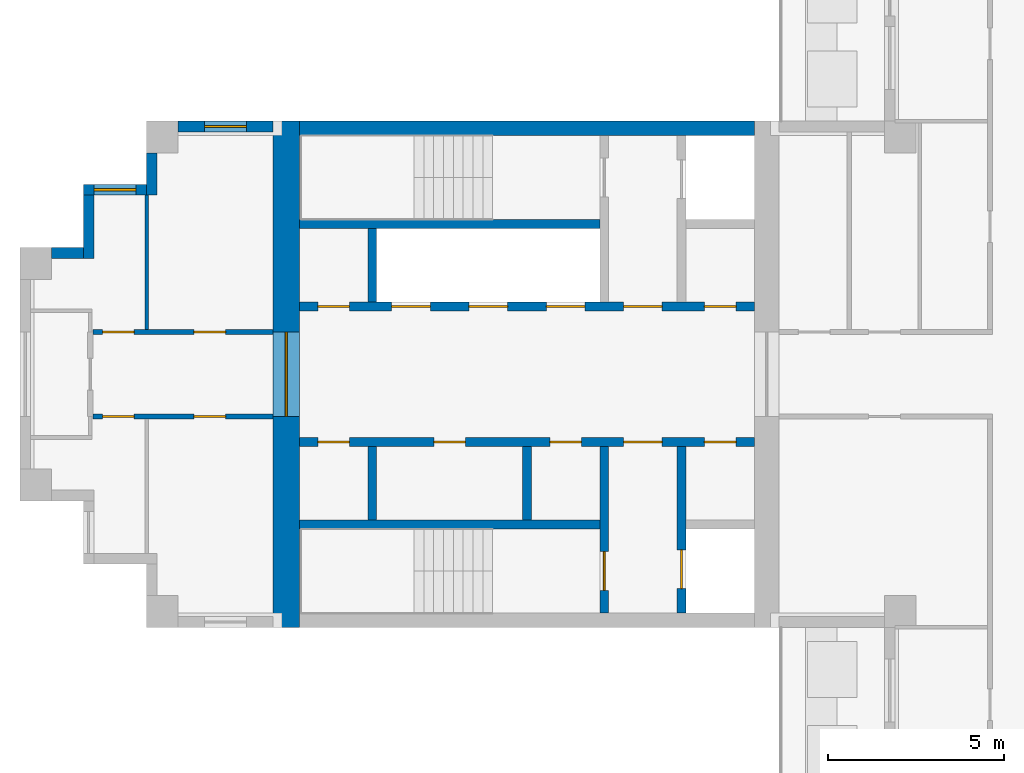
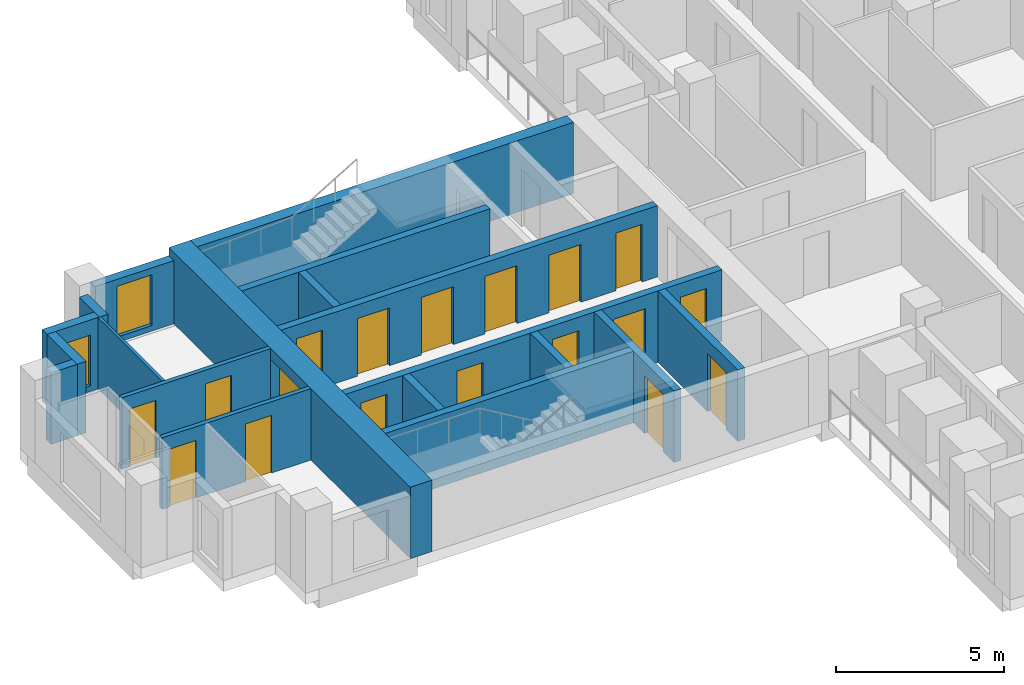
# One storey, part 3 of 10: 19 walls, 18 doors, 2 windows, 20 openings.
"""IFC4 building model written with IfcOpenShell, lengths in metres."""

from ifc_helpers import new_model, si_unit, direction, frame, frame_2d, origin, place, context, subcontext, project, spatial, rectangle, extrude, material, layer, layer_set, type_object, element, fill, save


model = new_model("IFC4")

# Units and contexts
model_context = context("Model", 3, precision=1e-05, world=origin(), true_north=direction((0.0, 1.0)))
body_context = subcontext(model_context, "Body", "Model", "MODEL_VIEW")
ifc_project = project(units=[si_unit("LENGTHUNIT", "METRE"), si_unit("AREAUNIT", "SQUARE_METRE"), si_unit("VOLUMEUNIT", "CUBIC_METRE"), si_unit("PLANEANGLEUNIT", "RADIAN"), si_unit("MASSUNIT", "GRAM", prefix="KILO")], contexts=[model_context])

# Site, building, storey
site_placement = place(None, origin())
site = spatial("IfcSite", under=ifc_project, at=site_placement, CompositionType="ELEMENT")
building_placement = place(site_placement, origin())
building = spatial("IfcBuilding", under=site, at=building_placement, Name="Fustian Cross Tower", CompositionType="ELEMENT")
storey_placement = place(building_placement, frame((0.0, 0.0, 207.89990234375)))
storey = spatial("IfcBuildingStorey", under=building, at=storey_placement, Name="L65", CompositionType="ELEMENT", Elevation=207.89990234375)

# Wall, openings, doors
ifc_material_1 = material(Name="Plasterboard on steel stud", Category="steel")
ifc_layer_1 = layer(ifc_material_1, 0.14990234375)
ifc_layer_set_1 = layer_set([ifc_layer_1], Name="Plasterboard on steel stud")
wall_type_1 = type_object("IfcWallType", Name="COMPARTMENT WALL 150 EI 60", PredefinedType="PARTITIONING", material=ifc_layer_set_1)
wall_1_placement = place(storey_placement, frame((-26.72509765625, -1.199951171875, 0.0), z_axis=(0.0, 0.0, 1.0), x_axis=(1.0, 0.0, 0.0)))
wall_1 = element("IfcWall", 1, at=wall_1_placement, inside=storey, type_object=wall_type_1, Name="Partition 5", PredefinedType="PARTITIONING", context=body_context, shape_type="SweptSolid", body=[
    extrude(rectangle(XDim=5.125, YDim=0.14990234375, at=frame_2d((2.5625, 0.0))), origin(), (0.0, 0.0, 1.0), 2.60009765625),
])
opening_1_placement = place(wall_1_placement, frame((2.875, 0.0, 0.0)))
opening_1 = element("IfcOpeningElement", 2, at=opening_1_placement, cuts=wall_1, Name="Opening D30026", PredefinedType="OPENING", context=body_context, shape_type="SweptSolid", body=[
    extrude(rectangle(XDim=0.89990234375, YDim=2.10009765625, at=frame_2d((0.449951171875, 1.050048828125))), frame((0.0, 0.0849609375, 0.0), z_axis=(0.0, -1.0, 0.0), x_axis=(1.0, 0.0, 0.0)), (0.0, 0.0, 1.0), 0.169921875),
])
opening_2_placement = place(wall_1_placement, frame((0.27490234375, 0.0, 0.0)))
opening_2 = element("IfcOpeningElement", 3, at=opening_2_placement, cuts=wall_1, Name="Opening D30027", PredefinedType="OPENING", context=body_context, shape_type="SweptSolid", body=[
    extrude(rectangle(XDim=0.89990234375, YDim=2.10009765625, at=frame_2d((0.449951171875, 1.050048828125))), frame((0.0, 0.0849609375, 0.0), z_axis=(0.0, -1.0, 0.0), x_axis=(1.0, 0.0, 0.0)), (0.0, 0.0, 1.0), 0.169921875),
])
ifc_material_2 = material(Name="Timber fire door set", Category="wood")
door_type_1 = type_object("IfcDoorType", Name="FIRE SWING DOOR 900 FD30S", OperationType="SINGLE_SWING_LEFT", PredefinedType="DOOR", material=ifc_material_2)
door_1_placement = place(opening_1_placement, frame((0.89990234375, 0.0, 0.0), z_axis=(0.0, 0.0, 1.0), x_axis=(-1.0, 0.0, 0.0)))
door_1 = element("IfcDoor", 4, at=door_1_placement, inside=storey, type_object=door_type_1, Name="Door D30026", OperationType="SINGLE_SWING_RIGHT", OverallHeight=2.10009765625, OverallWidth=0.89990234375, PredefinedType="DOOR", context=body_context, shape_type="SweptSolid", body=[
    extrude(rectangle(XDim=0.89990234375, YDim=2.10009765625, at=frame_2d((0.449951171875, 1.050048828125))), frame((0.0, 0.02490234375, 0.0), z_axis=(0.0, -1.0, 0.0), x_axis=(1.0, 0.0, 0.0)), (0.0, 0.0, 1.0), 0.050048828125),
])
fill(opening_1, door_1)
door_2_placement = place(opening_2_placement, frame((0.89990234375, 0.0, 0.0), z_axis=(0.0, 0.0, 1.0), x_axis=(-1.0, 0.0, 0.0)))
door_2 = element("IfcDoor", 5, at=door_2_placement, inside=storey, type_object=door_type_1, Name="Door D30027", OperationType="SINGLE_SWING_RIGHT", OverallHeight=2.10009765625, OverallWidth=0.89990234375, PredefinedType="DOOR", context=body_context, shape_type="SweptSolid", body=[
    extrude(rectangle(XDim=0.89990234375, YDim=2.10009765625, at=frame_2d((0.449951171875, 1.050048828125))), frame((0.0, 0.02490234375, 0.0), z_axis=(0.0, -1.0, 0.0), x_axis=(1.0, 0.0, 0.0)), (0.0, 0.0, 1.0), 0.050048828125),
])
fill(opening_2, door_2)

wall_2_placement = place(storey_placement, frame((-26.72509765625, 1.199951171875, 0.0), z_axis=(0.0, 0.0, 1.0), x_axis=(1.0, 0.0, 0.0)))
wall_2 = element("IfcWall", 6, at=wall_2_placement, inside=storey, type_object=wall_type_1, Name="Partition 7", PredefinedType="PARTITIONING", context=body_context, shape_type="SweptSolid", body=[
    extrude(rectangle(XDim=5.125, YDim=0.14990234375, at=frame_2d((2.5625, 0.0))), origin(), (0.0, 0.0, 1.0), 2.60009765625),
])
opening_3_placement = place(wall_2_placement, frame((2.875, 0.0, 0.0)))
opening_3 = element("IfcOpeningElement", 7, at=opening_3_placement, cuts=wall_2, Name="Opening D30028", PredefinedType="OPENING", context=body_context, shape_type="SweptSolid", body=[
    extrude(rectangle(XDim=0.89990234375, YDim=2.10009765625, at=frame_2d((0.449951171875, 1.050048828125))), frame((0.0, 0.0849609375, 0.0), z_axis=(0.0, -1.0, 0.0), x_axis=(1.0, 0.0, 0.0)), (0.0, 0.0, 1.0), 0.169921875),
])
opening_4_placement = place(wall_2_placement, frame((0.27490234375, 0.0, 0.0)))
opening_4 = element("IfcOpeningElement", 8, at=opening_4_placement, cuts=wall_2, Name="Opening D30029", PredefinedType="OPENING", context=body_context, shape_type="SweptSolid", body=[
    extrude(rectangle(XDim=0.89990234375, YDim=2.10009765625, at=frame_2d((0.449951171875, 1.050048828125))), frame((0.0, 0.0849609375, 0.0), z_axis=(0.0, -1.0, 0.0), x_axis=(1.0, 0.0, 0.0)), (0.0, 0.0, 1.0), 0.169921875),
])
door_3_placement = place(opening_3_placement, origin())
door_3 = element("IfcDoor", 9, at=door_3_placement, inside=storey, type_object=door_type_1, Name="Door D30028", OperationType="SINGLE_SWING_LEFT", OverallHeight=2.10009765625, OverallWidth=0.89990234375, PredefinedType="DOOR", context=body_context, shape_type="SweptSolid", body=[
    extrude(rectangle(XDim=0.89990234375, YDim=2.10009765625, at=frame_2d((0.449951171875, 1.050048828125))), frame((0.0, 0.02490234375, 0.0), z_axis=(0.0, -1.0, 0.0), x_axis=(1.0, 0.0, 0.0)), (0.0, 0.0, 1.0), 0.050048828125),
])
fill(opening_3, door_3)
door_4_placement = place(opening_4_placement, origin())
door_4 = element("IfcDoor", 10, at=door_4_placement, inside=storey, type_object=door_type_1, Name="Door D30029", OperationType="SINGLE_SWING_LEFT", OverallHeight=2.10009765625, OverallWidth=0.89990234375, PredefinedType="DOOR", context=body_context, shape_type="SweptSolid", body=[
    extrude(rectangle(XDim=0.89990234375, YDim=2.10009765625, at=frame_2d((0.449951171875, 1.050048828125))), frame((0.0, 0.02490234375, 0.0), z_axis=(0.0, -1.0, 0.0), x_axis=(1.0, 0.0, 0.0)), (0.0, 0.0, 1.0), 0.050048828125),
])
fill(opening_4, door_4)

# Wall, opening, door
ifc_material_3 = material(Name="Concrete C50/60", Category="concrete")
ifc_layer_2 = layer(ifc_material_3, 0.75)
ifc_layer_set_2 = layer_set([ifc_layer_2], Name="Concrete C50/60")
wall_type_2 = type_object("IfcWallType", Name="CORE END WALL 750 C50/60", PredefinedType="SHEAR", material=ifc_layer_set_2)
wall_3_placement = place(storey_placement, frame((-21.22509765625, -7.199951171875, 0.0), z_axis=(0.0, 0.0, 1.0), x_axis=(0.0, 1.0, 0.0)))
wall_3 = element("IfcWall", 11, at=wall_3_placement, inside=storey, type_object=wall_type_2, Name="Core end wall", PredefinedType="SHEAR", context=body_context, shape_type="SweptSolid", body=[
    extrude(rectangle(XDim=14.39990234375, YDim=0.75, at=frame_2d((7.199951171875, 0.0))), origin(), (0.0, 0.0, 1.0), 2.60009765625),
])
opening_5_placement = place(wall_3_placement, frame((6.0, 0.0, 0.0)))
opening_5 = element("IfcOpeningElement", 12, at=opening_5_placement, cuts=wall_3, Name="Opening CD-28-30", PredefinedType="OPENING", context=body_context, shape_type="SweptSolid", body=[
    extrude(rectangle(XDim=2.39990234375, YDim=2.199951171875, at=frame_2d((1.199951171875, 1.10009765625))), frame((0.0, 0.385009765625, 0.0), z_axis=(0.0, -1.0, 0.0), x_axis=(1.0, 0.0, 0.0)), (0.0, 0.0, 1.0), 0.77001953125),
])
ifc_material_4 = material(Name="Steel", Category="steel")
door_type_2 = type_object("IfcDoorType", Name="FIRE DOOR FD30S DOUBLE 2400X2200", OperationType="DOUBLE_DOOR_DOUBLE_SWING", PredefinedType="DOOR", material=ifc_material_4)
door_5_placement = place(opening_5_placement, frame((2.39990234375, 0.0, 0.0), z_axis=(0.0, 0.0, 1.0), x_axis=(-1.0, 0.0, 0.0)))
door_5 = element("IfcDoor", 13, at=door_5_placement, inside=storey, type_object=door_type_2, Name="Core door CD-28-30", OperationType="DOUBLE_DOOR_DOUBLE_SWING", OverallHeight=2.199951171875, OverallWidth=2.39990234375, PredefinedType="DOOR", context=body_context, shape_type="SweptSolid", body=[
    extrude(rectangle(XDim=2.39990234375, YDim=2.199951171875, at=frame_2d((1.199951171875, 1.10009765625))), frame((0.0, 0.02490234375, 0.0), z_axis=(0.0, -1.0, 0.0), x_axis=(1.0, 0.0, 0.0)), (0.0, 0.0, 1.0), 0.050048828125),
])
fill(opening_5, door_5)

# Wall
ifc_material_5 = material(Name="Concrete C50/60", Category="concrete")
ifc_layer_3 = layer(ifc_material_5, 0.39990234375)
ifc_layer_set_3 = layer_set([ifc_layer_3], Name="Concrete C50/60")
wall_type_3 = type_object("IfcWallType", Name="CORE FACADE WALL 400 C50/60", PredefinedType="SHEAR", material=ifc_layer_set_3)
wall_4_placement = place(storey_placement, frame((-7.89990234375, 7.0, 0.0), z_axis=(0.0, 0.0, 1.0), x_axis=(-1.0, 0.0, 0.0)))
element("IfcWall", 14, at=wall_4_placement, inside=storey, type_object=wall_type_3, Name="Core facade wall", PredefinedType="SHEAR", context=body_context, shape_type="SweptSolid", body=[
    extrude(rectangle(XDim=12.9501953125, YDim=0.39990234375, at=frame_2d((6.47509765625, 0.0))), origin(), (0.0, 0.0, 1.0), 2.60009765625),
])

# Wall, openings, doors
ifc_material_6 = material(Name="Concrete C50/60", Category="concrete")
ifc_layer_4 = layer(ifc_material_6, 0.25)
ifc_layer_set_4 = layer_set([ifc_layer_4], Name="Concrete C50/60")
wall_type_4 = type_object("IfcWallType", Name="CORE LOBBY WALL 250 C50/60", PredefinedType="SHEAR", material=ifc_layer_set_4)
wall_5_placement = place(storey_placement, frame((-7.89990234375, 1.925048828125, 0.0), z_axis=(0.0, 0.0, 1.0), x_axis=(-1.0, 0.0, 0.0)))
wall_5 = element("IfcWall", 15, at=wall_5_placement, inside=storey, type_object=wall_type_4, Name="Core lobby wall", PredefinedType="SHEAR", context=body_context, shape_type="SweptSolid", body=[
    extrude(rectangle(XDim=12.9501953125, YDim=0.25, at=frame_2d((6.47509765625, 0.0))), origin(), (0.0, 0.0, 1.0), 2.60009765625),
])
opening_6_placement = place(wall_5_placement, frame((4.824951171875, 0.0, 0.0)))
opening_6 = element("IfcOpeningElement", 16, at=opening_6_placement, cuts=wall_5, Name="Opening LD", PredefinedType="OPENING", context=body_context, shape_type="SweptSolid", body=[
    extrude(rectangle(XDim=1.10009765625, YDim=2.10009765625, at=frame_2d((0.550048828125, 1.050048828125))), frame((0.0, 0.135009765625, 0.0), z_axis=(0.0, -1.0, 0.0), x_axis=(1.0, 0.0, 0.0)), (0.0, 0.0, 1.0), 0.27001953125),
])
opening_7_placement = place(wall_5_placement, frame((7.02490234375, 0.0, 0.0)))
opening_7 = element("IfcOpeningElement", 17, at=opening_7_placement, cuts=wall_5, Name="Opening LD", PredefinedType="OPENING", context=body_context, shape_type="SweptSolid", body=[
    extrude(rectangle(XDim=1.10009765625, YDim=2.10009765625, at=frame_2d((0.550048828125, 1.050048828125))), frame((0.0, 0.135009765625, 0.0), z_axis=(0.0, -1.0, 0.0), x_axis=(1.0, 0.0, 0.0)), (0.0, 0.0, 1.0), 0.27001953125),
])
opening_8_placement = place(wall_5_placement, frame((9.22509765625, 0.0, 0.0)))
opening_8 = element("IfcOpeningElement", 18, at=opening_8_placement, cuts=wall_5, Name="Opening LD", PredefinedType="OPENING", context=body_context, shape_type="SweptSolid", body=[
    extrude(rectangle(XDim=1.10009765625, YDim=2.10009765625, at=frame_2d((0.550048828125, 1.050048828125))), frame((0.0, 0.135009765625, 0.0), z_axis=(0.0, -1.0, 0.0), x_axis=(1.0, 0.0, 0.0)), (0.0, 0.0, 1.0), 0.27001953125),
])
opening_9_placement = place(wall_5_placement, frame((0.52490234375, 0.0, 0.0)))
opening_9 = element("IfcOpeningElement", 19, at=opening_9_placement, cuts=wall_5, Name="Opening CD-28-25", PredefinedType="OPENING", context=body_context, shape_type="SweptSolid", body=[
    extrude(rectangle(XDim=0.89990234375, YDim=2.10009765625, at=frame_2d((0.449951171875, 1.050048828125))), frame((0.0, 0.135009765625, 0.0), z_axis=(0.0, -1.0, 0.0), x_axis=(1.0, 0.0, 0.0)), (0.0, 0.0, 1.0), 0.27001953125),
])
opening_10_placement = place(wall_5_placement, frame((2.625, 0.0, 0.0)))
opening_10 = element("IfcOpeningElement", 20, at=opening_10_placement, cuts=wall_5, Name="Opening CD-28-27", PredefinedType="OPENING", context=body_context, shape_type="SweptSolid", body=[
    extrude(rectangle(XDim=1.10009765625, YDim=2.10009765625, at=frame_2d((0.550048828125, 1.050048828125))), frame((0.0, 0.135009765625, 0.0), z_axis=(0.0, -1.0, 0.0), x_axis=(1.0, 0.0, 0.0)), (0.0, 0.0, 1.0), 0.27001953125),
])
opening_11_placement = place(wall_5_placement, frame((11.52490234375, 0.0, 0.0)))
opening_11 = element("IfcOpeningElement", 21, at=opening_11_placement, cuts=wall_5, Name="Opening CD-28-31", PredefinedType="OPENING", context=body_context, shape_type="SweptSolid", body=[
    extrude(rectangle(XDim=0.89990234375, YDim=2.10009765625, at=frame_2d((0.449951171875, 1.050048828125))), frame((0.0, 0.135009765625, 0.0), z_axis=(0.0, -1.0, 0.0), x_axis=(1.0, 0.0, 0.0)), (0.0, 0.0, 1.0), 0.27001953125),
])
ifc_material_7 = material(Name="Steel", Category="steel")
door_type_3 = type_object("IfcDoorType", Name="FIRE DOOR FD30S 900X2100", OperationType="SINGLE_SWING_LEFT", PredefinedType="DOOR", material=ifc_material_7)
door_6_placement = place(opening_11_placement, frame((0.89990234375, 0.0, 0.0), z_axis=(0.0, 0.0, 1.0), x_axis=(-1.0, 0.0, 0.0)))
door_6 = element("IfcDoor", 22, at=door_6_placement, inside=storey, type_object=door_type_3, Name="Core door CD-28-31", OperationType="SINGLE_SWING_RIGHT", OverallHeight=2.10009765625, OverallWidth=0.89990234375, PredefinedType="DOOR", context=body_context, shape_type="SweptSolid", body=[
    extrude(rectangle(XDim=0.89990234375, YDim=2.10009765625, at=frame_2d((0.449951171875, 1.050048828125))), frame((0.0, 0.02490234375, 0.0), z_axis=(0.0, -1.0, 0.0), x_axis=(1.0, 0.0, 0.0)), (0.0, 0.0, 1.0), 0.050048828125),
])
fill(opening_11, door_6)
ifc_material_8 = material(Name="Steel", Category="steel")
door_type_4 = type_object("IfcDoorType", Name="FIRE DOOR FD60S 1100X2100", OperationType="SINGLE_SWING_LEFT", PredefinedType="DOOR", material=ifc_material_8)
door_7_placement = place(opening_10_placement, frame((1.10009765625, 0.0, 0.0), z_axis=(0.0, 0.0, 1.0), x_axis=(-1.0, 0.0, 0.0)))
door_7 = element("IfcDoor", 23, at=door_7_placement, inside=storey, type_object=door_type_4, Name="Core door CD-28-27", OperationType="SINGLE_SWING_RIGHT", OverallHeight=2.10009765625, OverallWidth=1.10009765625, PredefinedType="DOOR", context=body_context, shape_type="SweptSolid", body=[
    extrude(rectangle(XDim=1.10009765625, YDim=2.10009765625, at=frame_2d((0.550048828125, 1.050048828125))), frame((0.0, 0.02490234375, 0.0), z_axis=(0.0, -1.0, 0.0), x_axis=(1.0, 0.0, 0.0)), (0.0, 0.0, 1.0), 0.050048828125),
])
fill(opening_10, door_7)
ifc_material_9 = material(Name="Steel", Category="steel")
door_type_5 = type_object("IfcDoorType", Name="FIRE DOOR FD60S 900X2100", OperationType="SINGLE_SWING_LEFT", PredefinedType="DOOR", material=ifc_material_9)
door_8_placement = place(opening_9_placement, frame((0.89990234375, 0.0, 0.0), z_axis=(0.0, 0.0, 1.0), x_axis=(-1.0, 0.0, 0.0)))
door_8 = element("IfcDoor", 24, at=door_8_placement, inside=storey, type_object=door_type_5, Name="Core door CD-28-25", OperationType="SINGLE_SWING_RIGHT", OverallHeight=2.10009765625, OverallWidth=0.89990234375, PredefinedType="DOOR", context=body_context, shape_type="SweptSolid", body=[
    extrude(rectangle(XDim=0.89990234375, YDim=2.10009765625, at=frame_2d((0.449951171875, 1.050048828125))), frame((0.0, 0.02490234375, 0.0), z_axis=(0.0, -1.0, 0.0), x_axis=(1.0, 0.0, 0.0)), (0.0, 0.0, 1.0), 0.050048828125),
])
fill(opening_9, door_8)
ifc_material_10 = material(Name="Stainless steel", Category="steel")
door_type_6 = type_object("IfcDoorType", Name="LIFT LANDING DOOR 1100X2100", OperationType="SLIDING_TO_LEFT", PredefinedType="DOOR", material=ifc_material_10)
door_9_placement = place(opening_6_placement, origin())
door_9 = element("IfcDoor", 25, at=door_9_placement, inside=storey, type_object=door_type_6, Name="Landing door HR1W", OperationType="SLIDING_TO_LEFT", OverallHeight=2.10009765625, OverallWidth=1.10009765625, PredefinedType="DOOR", context=body_context, shape_type="SweptSolid", body=[
    extrude(rectangle(XDim=1.10009765625, YDim=2.10009765625, at=frame_2d((0.550048828125, 1.050048828125))), frame((0.0, 0.02490234375, 0.0), z_axis=(0.0, -1.0, 0.0), x_axis=(1.0, 0.0, 0.0)), (0.0, 0.0, 1.0), 0.050048828125),
])
fill(opening_6, door_9)
door_10_placement = place(opening_7_placement, origin())
door_10 = element("IfcDoor", 26, at=door_10_placement, inside=storey, type_object=door_type_6, Name="Landing door HR2W", OperationType="SLIDING_TO_LEFT", OverallHeight=2.10009765625, OverallWidth=1.10009765625, PredefinedType="DOOR", context=body_context, shape_type="SweptSolid", body=[
    extrude(rectangle(XDim=1.10009765625, YDim=2.10009765625, at=frame_2d((0.550048828125, 1.050048828125))), frame((0.0, 0.02490234375, 0.0), z_axis=(0.0, -1.0, 0.0), x_axis=(1.0, 0.0, 0.0)), (0.0, 0.0, 1.0), 0.050048828125),
])
fill(opening_7, door_10)
door_11_placement = place(opening_8_placement, origin())
door_11 = element("IfcDoor", 27, at=door_11_placement, inside=storey, type_object=door_type_6, Name="Landing door HR3W", OperationType="SLIDING_TO_LEFT", OverallHeight=2.10009765625, OverallWidth=1.10009765625, PredefinedType="DOOR", context=body_context, shape_type="SweptSolid", body=[
    extrude(rectangle(XDim=1.10009765625, YDim=2.10009765625, at=frame_2d((0.550048828125, 1.050048828125))), frame((0.0, 0.02490234375, 0.0), z_axis=(0.0, -1.0, 0.0), x_axis=(1.0, 0.0, 0.0)), (0.0, 0.0, 1.0), 0.050048828125),
])
fill(opening_8, door_11)

wall_6_placement = place(storey_placement, frame((-7.89990234375, -1.925048828125, 0.0), z_axis=(0.0, 0.0, 1.0), x_axis=(-1.0, 0.0, 0.0)))
wall_6 = element("IfcWall", 28, at=wall_6_placement, inside=storey, type_object=wall_type_4, Name="Core lobby wall", PredefinedType="SHEAR", context=body_context, shape_type="SweptSolid", body=[
    extrude(rectangle(XDim=12.9501953125, YDim=0.25, at=frame_2d((6.47509765625, 0.0))), origin(), (0.0, 0.0, 1.0), 2.60009765625),
])
opening_12_placement = place(wall_6_placement, frame((0.52490234375, 0.0, 0.0)))
opening_12 = element("IfcOpeningElement", 29, at=opening_12_placement, cuts=wall_6, Name="Opening CD-28-26", PredefinedType="OPENING", context=body_context, shape_type="SweptSolid", body=[
    extrude(rectangle(XDim=0.89990234375, YDim=2.10009765625, at=frame_2d((0.449951171875, 1.050048828125))), frame((0.0, 0.135009765625, 0.0), z_axis=(0.0, -1.0, 0.0), x_axis=(1.0, 0.0, 0.0)), (0.0, 0.0, 1.0), 0.27001953125),
])
opening_13_placement = place(wall_6_placement, frame((2.625, 0.0, 0.0)))
opening_13 = element("IfcOpeningElement", 30, at=opening_13_placement, cuts=wall_6, Name="Opening CD-28-28", PredefinedType="OPENING", context=body_context, shape_type="SweptSolid", body=[
    extrude(rectangle(XDim=1.10009765625, YDim=2.10009765625, at=frame_2d((0.550048828125, 1.050048828125))), frame((0.0, 0.135009765625, 0.0), z_axis=(0.0, -1.0, 0.0), x_axis=(1.0, 0.0, 0.0)), (0.0, 0.0, 1.0), 0.27001953125),
])
opening_14_placement = place(wall_6_placement, frame((4.925048828125, 0.0, 0.0)))
opening_14 = element("IfcOpeningElement", 31, at=opening_14_placement, cuts=wall_6, Name="Opening CD-28-32", PredefinedType="OPENING", context=body_context, shape_type="SweptSolid", body=[
    extrude(rectangle(XDim=0.89990234375, YDim=2.10009765625, at=frame_2d((0.449951171875, 1.050048828125))), frame((0.0, 0.135009765625, 0.0), z_axis=(0.0, -1.0, 0.0), x_axis=(1.0, 0.0, 0.0)), (0.0, 0.0, 1.0), 0.27001953125),
])
opening_15_placement = place(wall_6_placement, frame((8.22509765625, 0.0, 0.0)))
opening_15 = element("IfcOpeningElement", 32, at=opening_15_placement, cuts=wall_6, Name="Opening CD-28-33", PredefinedType="OPENING", context=body_context, shape_type="SweptSolid", body=[
    extrude(rectangle(XDim=0.89990234375, YDim=2.10009765625, at=frame_2d((0.449951171875, 1.050048828125))), frame((0.0, 0.135009765625, 0.0), z_axis=(0.0, -1.0, 0.0), x_axis=(1.0, 0.0, 0.0)), (0.0, 0.0, 1.0), 0.27001953125),
])
opening_16_placement = place(wall_6_placement, frame((11.52490234375, 0.0, 0.0)))
opening_16 = element("IfcOpeningElement", 33, at=opening_16_placement, cuts=wall_6, Name="Opening CD-28-34", PredefinedType="OPENING", context=body_context, shape_type="SweptSolid", body=[
    extrude(rectangle(XDim=0.89990234375, YDim=2.10009765625, at=frame_2d((0.449951171875, 1.050048828125))), frame((0.0, 0.135009765625, 0.0), z_axis=(0.0, -1.0, 0.0), x_axis=(1.0, 0.0, 0.0)), (0.0, 0.0, 1.0), 0.27001953125),
])
ifc_material_11 = material(Name="Steel", Category="steel")
door_type_7 = type_object("IfcDoorType", Name="FIRE DOOR FD30S 1100X2100", OperationType="SINGLE_SWING_LEFT", PredefinedType="DOOR", material=ifc_material_11)
door_12_placement = place(opening_13_placement, frame((1.10009765625, 0.0, 0.0), z_axis=(0.0, 0.0, 1.0), x_axis=(-1.0, 0.0, 0.0)))
door_12 = element("IfcDoor", 34, at=door_12_placement, inside=storey, type_object=door_type_7, Name="Core door CD-28-28", OperationType="SINGLE_SWING_RIGHT", OverallHeight=2.10009765625, OverallWidth=1.10009765625, PredefinedType="DOOR", context=body_context, shape_type="SweptSolid", body=[
    extrude(rectangle(XDim=1.10009765625, YDim=2.10009765625, at=frame_2d((0.550048828125, 1.050048828125))), frame((0.0, 0.02490234375, 0.0), z_axis=(0.0, -1.0, 0.0), x_axis=(1.0, 0.0, 0.0)), (0.0, 0.0, 1.0), 0.050048828125),
])
fill(opening_13, door_12)
door_13_placement = place(opening_12_placement, origin())
door_13 = element("IfcDoor", 35, at=door_13_placement, inside=storey, type_object=door_type_3, Name="Core door CD-28-26", OperationType="SINGLE_SWING_LEFT", OverallHeight=2.10009765625, OverallWidth=0.89990234375, PredefinedType="DOOR", context=body_context, shape_type="SweptSolid", body=[
    extrude(rectangle(XDim=0.89990234375, YDim=2.10009765625, at=frame_2d((0.449951171875, 1.050048828125))), frame((0.0, 0.02490234375, 0.0), z_axis=(0.0, -1.0, 0.0), x_axis=(1.0, 0.0, 0.0)), (0.0, 0.0, 1.0), 0.050048828125),
])
fill(opening_12, door_13)
door_14_placement = place(opening_14_placement, origin())
door_14 = element("IfcDoor", 36, at=door_14_placement, inside=storey, type_object=door_type_3, Name="Core door CD-28-32", OperationType="SINGLE_SWING_LEFT", OverallHeight=2.10009765625, OverallWidth=0.89990234375, PredefinedType="DOOR", context=body_context, shape_type="SweptSolid", body=[
    extrude(rectangle(XDim=0.89990234375, YDim=2.10009765625, at=frame_2d((0.449951171875, 1.050048828125))), frame((0.0, 0.02490234375, 0.0), z_axis=(0.0, -1.0, 0.0), x_axis=(1.0, 0.0, 0.0)), (0.0, 0.0, 1.0), 0.050048828125),
])
fill(opening_14, door_14)
door_15_placement = place(opening_15_placement, origin())
door_15 = element("IfcDoor", 37, at=door_15_placement, inside=storey, type_object=door_type_3, Name="Core door CD-28-33", OperationType="SINGLE_SWING_RIGHT", OverallHeight=2.10009765625, OverallWidth=0.89990234375, PredefinedType="DOOR", context=body_context, shape_type="SweptSolid", body=[
    extrude(rectangle(XDim=0.89990234375, YDim=2.10009765625, at=frame_2d((0.449951171875, 1.050048828125))), frame((0.0, 0.02490234375, 0.0), z_axis=(0.0, -1.0, 0.0), x_axis=(1.0, 0.0, 0.0)), (0.0, 0.0, 1.0), 0.050048828125),
])
fill(opening_15, door_15)
door_16_placement = place(opening_16_placement, origin())
door_16 = element("IfcDoor", 38, at=door_16_placement, inside=storey, type_object=door_type_3, Name="Core door CD-28-34", OperationType="SINGLE_SWING_LEFT", OverallHeight=2.10009765625, OverallWidth=0.89990234375, PredefinedType="DOOR", context=body_context, shape_type="SweptSolid", body=[
    extrude(rectangle(XDim=0.89990234375, YDim=2.10009765625, at=frame_2d((0.449951171875, 1.050048828125))), frame((0.0, 0.02490234375, 0.0), z_axis=(0.0, -1.0, 0.0), x_axis=(1.0, 0.0, 0.0)), (0.0, 0.0, 1.0), 0.050048828125),
])
fill(opening_16, door_16)

# Walls
ifc_material_12 = material(Name="Concrete C50/60", Category="concrete")
ifc_layer_5 = layer(ifc_material_12, 0.25)
ifc_layer_set_5 = layer_set([ifc_layer_5], Name="Concrete C50/60")
wall_type_5 = type_object("IfcWallType", Name="CORE SHAFT WALL 250 C50/60", PredefinedType="SHEAR", material=ifc_layer_set_5)
for number, where, z_axis, x_axis, name in (
    (39, (-12.300048828125, 4.27490234375, 0.0), (0.0, 0.0, 1.0), (-1.0, 0.0, 0.0), "Core shaft wall"),
    (40, (-12.300048828125, -4.27490234375, 0.0), (0.0, 0.0, 1.0), (-1.0, 0.0, 0.0), "Core shaft wall"),
):
    element("IfcWall", number, at=place(storey_placement, frame(where, z_axis=z_axis, x_axis=x_axis)), inside=storey, type_object=wall_type_5, Name=name, PredefinedType="SHEAR", context=body_context, shape_type="SweptSolid", body=[
        extrude(rectangle(XDim=8.550048828125, YDim=0.25, at=frame_2d((4.27490234375, 0.0))), origin(), (0.0, 0.0, 1.0), 2.60009765625),
    ])

# Wall, opening, door
wall_7_placement = place(storey_placement, frame((-9.97509765625, -2.050048828125, 0.0), z_axis=(0.0, 0.0, 1.0), x_axis=(0.0, -1.0, 0.0)))
wall_7 = element("IfcWall", 41, at=wall_7_placement, inside=storey, type_object=wall_type_5, Name="Core shaft wall", PredefinedType="SHEAR", context=body_context, shape_type="SweptSolid", body=[
    extrude(rectangle(XDim=4.75, YDim=0.25, at=frame_2d((2.375, 0.0))), origin(), (0.0, 0.0, 1.0), 2.60009765625),
])
opening_17_placement = place(wall_7_placement, frame((2.949951171875, 0.0, 0.0)))
opening_17 = element("IfcOpeningElement", 42, at=opening_17_placement, cuts=wall_7, Name="Opening LD", PredefinedType="OPENING", context=body_context, shape_type="SweptSolid", body=[
    extrude(rectangle(XDim=1.10009765625, YDim=2.10009765625, at=frame_2d((0.550048828125, 1.050048828125))), frame((0.0, 0.135009765625, 0.0), z_axis=(0.0, -1.0, 0.0), x_axis=(1.0, 0.0, 0.0)), (0.0, 0.0, 1.0), 0.27001953125),
])
door_17_placement = place(opening_17_placement, origin())
door_17 = element("IfcDoor", 43, at=door_17_placement, inside=storey, type_object=door_type_6, Name="Landing door SV1W", OperationType="SLIDING_TO_LEFT", OverallHeight=2.10009765625, OverallWidth=1.10009765625, PredefinedType="DOOR", context=body_context, shape_type="SweptSolid", body=[
    extrude(rectangle(XDim=1.10009765625, YDim=2.10009765625, at=frame_2d((0.550048828125, 1.050048828125))), frame((0.0, 0.02490234375, 0.0), z_axis=(0.0, -1.0, 0.0), x_axis=(1.0, 0.0, 0.0)), (0.0, 0.0, 1.0), 0.050048828125),
])
fill(opening_17, door_17)

wall_8_placement = place(storey_placement, frame((-12.175048828125, -2.050048828125, 0.0), z_axis=(0.0, 0.0, 1.0), x_axis=(0.0, -1.0, 0.0)))
wall_8 = element("IfcWall", 44, at=wall_8_placement, inside=storey, type_object=wall_type_5, Name="Core shaft wall", PredefinedType="SHEAR", context=body_context, shape_type="SweptSolid", body=[
    extrude(rectangle(XDim=4.75, YDim=0.25, at=frame_2d((2.375, 0.0))), origin(), (0.0, 0.0, 1.0), 2.60009765625),
])
opening_18_placement = place(wall_8_placement, frame((3.0, 0.0, 0.0)))
opening_18 = element("IfcOpeningElement", 45, at=opening_18_placement, cuts=wall_8, Name="Opening CD-28-24", PredefinedType="OPENING", context=body_context, shape_type="SweptSolid", body=[
    extrude(rectangle(XDim=1.10009765625, YDim=2.10009765625, at=frame_2d((0.550048828125, 1.050048828125))), frame((0.0, 0.135009765625, 0.0), z_axis=(0.0, -1.0, 0.0), x_axis=(1.0, 0.0, 0.0)), (0.0, 0.0, 1.0), 0.27001953125),
])
door_18_placement = place(opening_18_placement, frame((1.10009765625, 0.0, 0.0), z_axis=(0.0, 0.0, 1.0), x_axis=(-1.0, 0.0, 0.0)))
door_18 = element("IfcDoor", 46, at=door_18_placement, inside=storey, type_object=door_type_4, Name="Core door CD-28-24", OperationType="SINGLE_SWING_RIGHT", OverallHeight=2.10009765625, OverallWidth=1.10009765625, PredefinedType="DOOR", context=body_context, shape_type="SweptSolid", body=[
    extrude(rectangle(XDim=1.10009765625, YDim=2.10009765625, at=frame_2d((0.550048828125, 1.050048828125))), frame((0.0, 0.02490234375, 0.0), z_axis=(0.0, -1.0, 0.0), x_axis=(1.0, 0.0, 0.0)), (0.0, 0.0, 1.0), 0.050048828125),
])
fill(opening_18, door_18)

# Walls
ifc_material_13 = material(Name="Plasterboard on steel stud", Category="steel")
ifc_layer_6 = layer(ifc_material_13, 0.10009765625)
ifc_layer_set_6 = layer_set([ifc_layer_6], Name="Plasterboard on steel stud")
wall_type_6 = type_object("IfcWallType", Name="PARTITION 100 STUD", PredefinedType="PARTITIONING", material=ifc_layer_set_6)
wall_9_placement = place(storey_placement, frame((-25.199951171875, 1.27490234375, 0.0), z_axis=(0.0, 0.0, 1.0), x_axis=(0.0, 1.0, 0.0)))
element("IfcWall", 47, at=wall_9_placement, inside=storey, type_object=wall_type_6, Name="Partition 9", PredefinedType="PARTITIONING", context=body_context, shape_type="SweptSolid", body=[
    extrude(rectangle(XDim=3.8251953125, YDim=0.10009765625, at=frame_2d((1.91259765625, 0.0))), origin(), (0.0, 0.0, 1.0), 2.60009765625),
])
ifc_material_14 = material(Name="Concrete C40/50", Category="concrete")
ifc_layer_7 = layer(ifc_material_14, 0.25)
ifc_layer_set_7 = layer_set([ifc_layer_7], Name="Concrete C40/50")
wall_type_7 = type_object("IfcWallType", Name="SHAFT PARTITION WALL 250 C40/50", PredefinedType="PARTITIONING", material=ifc_layer_set_7)
for number, where, z_axis, x_axis, name in (
    (48, (-18.77490234375, 2.050048828125, 0.0), (0.0, 0.0, 1.0), (0.0, 1.0, 0.0), "Core shaft wall"),
    (49, (-14.375, -2.050048828125, 0.0), (0.0, 0.0, 1.0), (0.0, -1.0, 0.0), "Core shaft wall"),
    (50, (-18.77490234375, -2.050048828125, 0.0), (0.0, 0.0, 1.0), (0.0, -1.0, 0.0), "Core shaft wall"),
):
    element("IfcWall", number, at=place(storey_placement, frame(where, z_axis=z_axis, x_axis=x_axis)), inside=storey, type_object=wall_type_7, Name=name, PredefinedType="PARTITIONING", context=body_context, shape_type="SweptSolid", body=[
        extrude(rectangle(XDim=2.099853515625, YDim=0.25, at=frame_2d((1.0498046875, 0.0))), origin(), (0.0, 0.0, 1.0), 2.60009765625),
    ])

# Wall, opening, window
ifc_material_15 = material(Name="Dark aluminium cladding on insulated backing wall", Category="aluminium")
ifc_layer_8 = layer(ifc_material_15, 0.300048828125)
ifc_layer_set_8 = layer_set([ifc_layer_8], Name="Dark aluminium cladding on insulated backing wall")
wall_type_8 = type_object("IfcWallType", Name="XW1 EXTERNAL WALL 300", PredefinedType="SOLIDWALL", material=ifc_layer_set_8)
wall_10_placement = place(storey_placement, frame((-21.60009765625, 7.050048828125, 0.0), z_axis=(0.0, 0.0, 1.0), x_axis=(-1.0, 0.0, 0.0)))
wall_10 = element("IfcWall", 51, at=wall_10_placement, inside=storey, type_object=wall_type_8, Name="External wall", PredefinedType="SOLIDWALL", context=body_context, shape_type="SweptSolid", body=[
    extrude(rectangle(XDim=2.699951171875, YDim=0.300048828125, at=frame_2d((1.35009765625, 0.0))), origin(), (0.0, 0.0, 1.0), 2.300048828125),
])
opening_19_placement = place(wall_10_placement, frame((0.75, 0.0, 0.199951171875)))
opening_19 = element("IfcOpeningElement", 52, at=opening_19_placement, cuts=wall_10, Name="Opening WN3", PredefinedType="OPENING", context=body_context, shape_type="SweptSolid", body=[
    extrude(rectangle(XDim=1.199951171875, YDim=1.85009765625, at=frame_2d((0.60009765625, 0.925048828125))), frame((0.0, 0.159912109375, 0.0), z_axis=(0.0, -1.0, 0.0), x_axis=(1.0, 0.0, 0.0)), (0.0, 0.0, 1.0), 0.320068359375),
])
ifc_material_16 = material(Name="Dark anodised aluminium and double glazing", Category="aluminium")
window_type = type_object("IfcWindowType", Name="WN3 WINDOW 1200X1850", PartitioningType="SINGLE_PANEL", PredefinedType="WINDOW", material=ifc_material_16)
window_1_placement = place(opening_19_placement, origin())
window_1 = element("IfcWindow", 53, at=window_1_placement, inside=storey, type_object=window_type, Name="Window", OverallHeight=1.85009765625, OverallWidth=1.199951171875, PartitioningType="SINGLE_PANEL", PredefinedType="WINDOW", context=body_context, shape_type="SweptSolid", body=[
    extrude(rectangle(XDim=1.199951171875, YDim=1.85009765625, at=frame_2d((0.60009765625, 0.925048828125))), frame((0.0, 0.030029296875, 0.0), z_axis=(0.0, -1.0, 0.0), x_axis=(1.0, 0.0, 0.0)), (0.0, 0.0, 1.0), 0.06005859375),
])
fill(opening_19, window_1)

# Wall
wall_11_placement = place(storey_placement, frame((-25.050048828125, 6.300048828125, 0.0), z_axis=(0.0, 0.0, 1.0), x_axis=(0.0, -1.0, 0.0)))
element("IfcWall", 54, at=wall_11_placement, inside=storey, type_object=wall_type_8, Name="External wall", PredefinedType="SOLIDWALL", context=body_context, shape_type="SweptSolid", body=[
    extrude(rectangle(XDim=1.199951171875, YDim=0.300048828125, at=frame_2d((0.60009765625, 0.0))), origin(), (0.0, 0.0, 1.0), 2.60009765625),
])

# Wall, opening, window
wall_12_placement = place(storey_placement, frame((-25.199951171875, 5.25, 0.0), z_axis=(0.0, 0.0, 1.0), x_axis=(-1.0, 0.0, 0.0)))
wall_12 = element("IfcWall", 55, at=wall_12_placement, inside=storey, type_object=wall_type_8, Name="External wall", PredefinedType="SOLIDWALL", context=body_context, shape_type="SweptSolid", body=[
    extrude(rectangle(XDim=1.800048828125, YDim=0.300048828125, at=frame_2d((0.89990234375, 0.0))), origin(), (0.0, 0.0, 1.0), 2.60009765625),
])
opening_20_placement = place(wall_12_placement, frame((0.300048828125, 0.0, 0.199951171875)))
opening_20 = element("IfcOpeningElement", 56, at=opening_20_placement, cuts=wall_12, Name="Opening WN3", PredefinedType="OPENING", context=body_context, shape_type="SweptSolid", body=[
    extrude(rectangle(XDim=1.199951171875, YDim=1.85009765625, at=frame_2d((0.60009765625, 0.925048828125))), frame((0.0, 0.159912109375, 0.0), z_axis=(0.0, -1.0, 0.0), x_axis=(1.0, 0.0, 0.0)), (0.0, 0.0, 1.0), 0.320068359375),
])
window_2_placement = place(opening_20_placement, origin())
window_2 = element("IfcWindow", 57, at=window_2_placement, inside=storey, type_object=window_type, Name="Window", OverallHeight=1.85009765625, OverallWidth=1.199951171875, PartitioningType="SINGLE_PANEL", PredefinedType="WINDOW", context=body_context, shape_type="SweptSolid", body=[
    extrude(rectangle(XDim=1.199951171875, YDim=1.85009765625, at=frame_2d((0.60009765625, 0.925048828125))), frame((0.0, 0.030029296875, 0.0), z_axis=(0.0, -1.0, 0.0), x_axis=(1.0, 0.0, 0.0)), (0.0, 0.0, 1.0), 0.06005859375),
])
fill(opening_20, window_2)

# Walls
wall_13_placement = place(storey_placement, frame((-26.85009765625, 5.10009765625, 0.0), z_axis=(0.0, 0.0, 1.0), x_axis=(0.0, -1.0, 0.0)))
element("IfcWall", 58, at=wall_13_placement, inside=storey, type_object=wall_type_8, Name="External wall", PredefinedType="SOLIDWALL", context=body_context, shape_type="SweptSolid", body=[
    extrude(rectangle(XDim=1.800048828125, YDim=0.300048828125, at=frame_2d((0.89990234375, 0.0))), origin(), (0.0, 0.0, 1.0), 2.60009765625),
])
wall_14_placement = place(storey_placement, frame((-27.0, 3.449951171875, 0.0), z_axis=(0.0, 0.0, 1.0), x_axis=(-1.0, 0.0, 0.0)))
element("IfcWall", 59, at=wall_14_placement, inside=storey, type_object=wall_type_8, Name="External wall", PredefinedType="SOLIDWALL", context=body_context, shape_type="SweptSolid", body=[
    extrude(rectangle(XDim=0.89990234375, YDim=0.300048828125, at=frame_2d((0.449951171875, 0.0))), origin(), (0.0, 0.0, 1.0), 2.60009765625),
])

save(model, "model.ifc")
